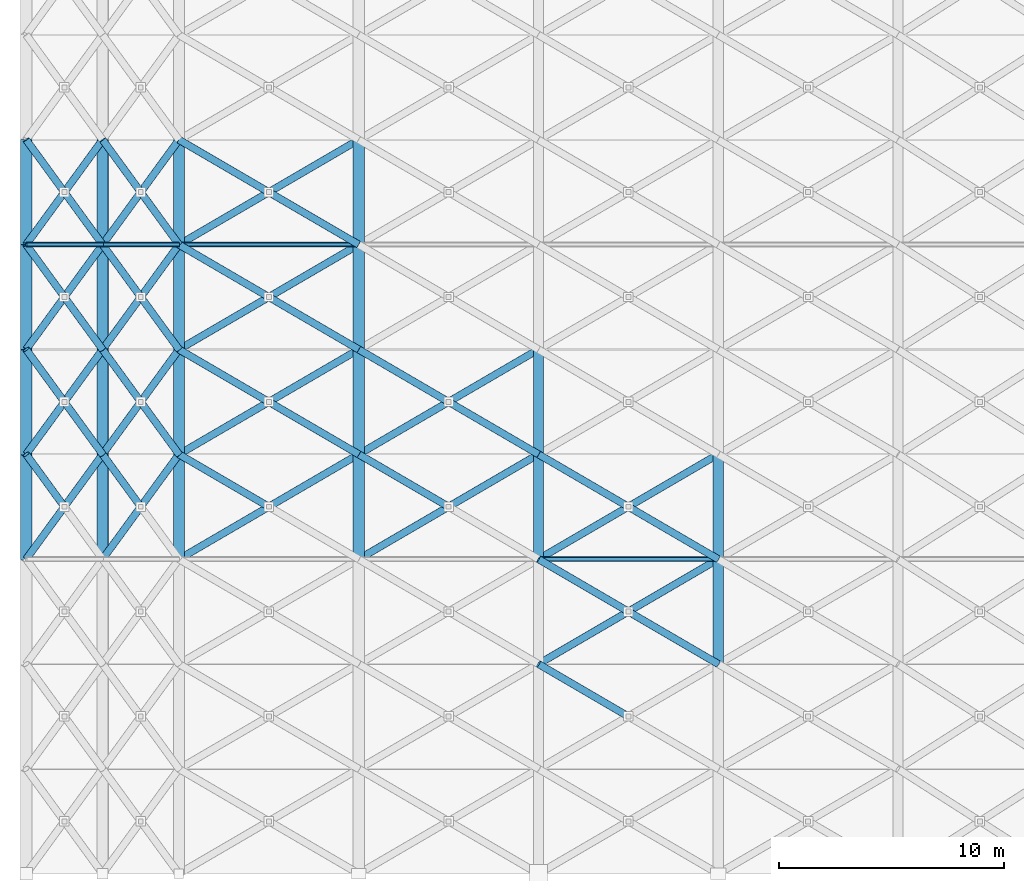
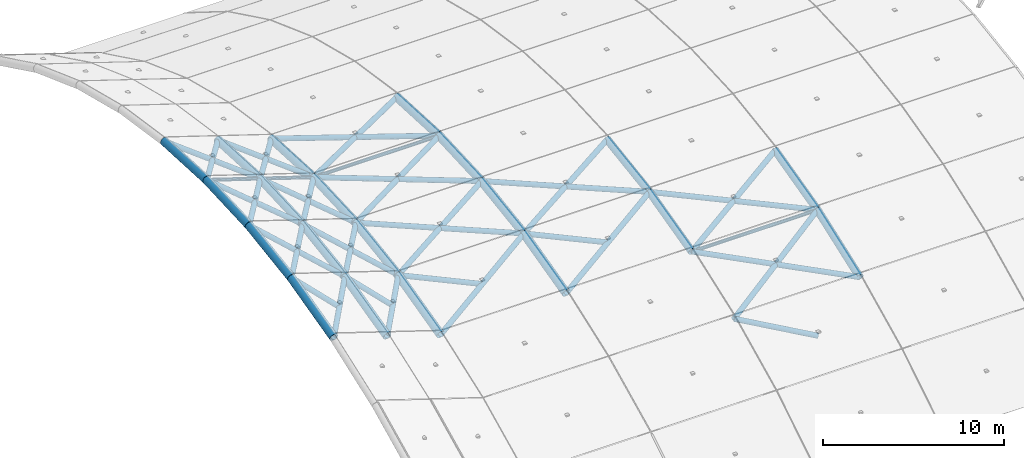
# One storey, part 2 of 21: 69 members.
"""IFC4 building model written with IfcOpenShell, lengths in metres."""

from ifc_helpers import new_model, si_unit, direction, frame, origin, origin_2d, place, context, subcontext, project, spatial, hollow_circle, extrude, material, material_profile, profile_set, type_object, element, save


model = new_model("IFC4")

# Units and contexts
model_context = context("Model", 3, precision=1e-05, world=origin(), true_north=direction((0.0, 1.0)))
body_context = subcontext(model_context, "Body", "Model", "MODEL_VIEW")
ifc_project = project(units=[si_unit("LENGTHUNIT", "METRE"), si_unit("AREAUNIT", "SQUARE_METRE"), si_unit("VOLUMEUNIT", "CUBIC_METRE"), si_unit("PLANEANGLEUNIT", "RADIAN"), si_unit("MASSUNIT", "GRAM", prefix="KILO")], contexts=[model_context])

# Site, building, storey
site_placement = place(None, origin())
site = spatial("IfcSite", under=ifc_project, at=site_placement, CompositionType="ELEMENT")
building_placement = place(site_placement, origin())
building = spatial("IfcBuilding", under=site, at=building_placement, Name="Solmirada Galleria", CompositionType="ELEMENT")
storey_placement = place(building_placement, frame((0.0, 0.0, 37.5)))
storey = spatial("IfcBuildingStorey", under=building, at=storey_placement, Name="RF", CompositionType="ELEMENT", Elevation=37.5)

# Members
ifc_material = material(Name="Steel S355 / ASTM A500 Grade C", Category="steel")
ifc_material_profile_1 = material_profile(ifc_material, hollow_circle(Radius=0.109619140625, WallThickness=0.007568359375, at=origin_2d()), Name="HSS8.625X0.322")
ifc_profile_set_1 = profile_set([ifc_material_profile_1], Name="Steel S355 / ASTM A500 Grade C")
member_type_1 = type_object("IfcMemberType", Name="MEM-DOME-PURL", PredefinedType="PURLIN", material=ifc_profile_set_1)
member_1_placement = place(storey_placement, frame((33.199951171875, 60.0, 1.840087890625), z_axis=(0.951440399165, 0.0, -0.307833017781), x_axis=(0.0, 1.0, 0.0)))
element("IfcMember", 1, at=member_1_placement, inside=storey, type_object=member_type_1, Name="Barrel gridshell longitudinal tie W00-06", PredefinedType="PURLIN", context=body_context, shape_type="SweptSolid", body=[
    extrude(hollow_circle(Radius=0.109619140625, WallThickness=0.007568359375, at=origin_2d()), origin(), (0.0, 0.0, 1.0), 3.57373046875),
])
member_2_placement = place(storey_placement, frame((36.60009765625, 60.0, 0.739990234375), z_axis=(0.951433924807, 0.0, -0.307853027803), x_axis=(0.0, 1.0, 0.0)))
element("IfcMember", 2, at=member_2_placement, inside=storey, type_object=member_type_1, Name="Barrel gridshell longitudinal tie W01-06", PredefinedType="PURLIN", context=body_context, shape_type="SweptSolid", body=[
    extrude(hollow_circle(Radius=0.109619140625, WallThickness=0.007568359375, at=origin_2d()), origin(), (0.0, 0.0, 1.0), 3.573486328125),
])
for number, where, z_axis, x_axis, name in (
    (3, (40.0, 60.0, -0.360107421875), (1.0, 0.0, 0.0), (0.0, 1.0, 0.0), "Barrel gridshell longitudinal tie W02-06"),
    (4, (56.0, 46.0, -2.471923828125), (1.0, 0.0, 0.0), (0.0, 1.0, 0.0), "Barrel gridshell longitudinal tie W04-03"),
):
    element("IfcMember", number, at=place(storey_placement, frame(where, z_axis=z_axis, x_axis=x_axis)), inside=storey, type_object=member_type_1, Name=name, PredefinedType="PURLIN", context=body_context, shape_type="SweptSolid", body=[
        extrude(hollow_circle(Radius=0.109619140625, WallThickness=0.007568359375, at=origin_2d()), origin(), (0.0, 0.0, 1.0), 8.0),
    ])
ifc_material_profile_2 = material_profile(ifc_material, hollow_circle(Radius=0.25390625, WallThickness=0.01171875, at=origin_2d()), Name="HSS20.000X0.500")
ifc_profile_set_2 = profile_set([ifc_material_profile_2], Name="Steel S355 / ASTM A500 Grade C")
member_type_2 = type_object("IfcMemberType", Name="MEM-VAULT-ARCH1", PredefinedType="RAFTER", material=ifc_profile_set_2)
member_3_placement = place(storey_placement, frame((33.199951171875, 46.0, -0.27197265625), z_axis=(0.0, 0.969334768515, 0.245743985782), x_axis=(-1.0, 0.0, 0.0)))
element("IfcMember", 5, at=member_3_placement, inside=storey, type_object=member_type_2, Name="Barrel vault arch rib W00-03", PredefinedType="RAFTER", context=body_context, shape_type="SweptSolid", body=[
    extrude(hollow_circle(Radius=0.25390625, WallThickness=0.01171875, at=origin_2d()), origin(), (0.0, 0.0, 1.0), 4.814453125),
])
member_4_placement = place(storey_placement, frame((33.199951171875, 50.666748046875, 0.9111328125), z_axis=(0.0, 0.988997751156, 0.14793055198), x_axis=(-1.0, 0.0, 0.0)))
element("IfcMember", 6, at=member_4_placement, inside=storey, type_object=member_type_2, Name="Barrel vault arch rib W00-04", PredefinedType="RAFTER", context=body_context, shape_type="SweptSolid", body=[
    extrude(hollow_circle(Radius=0.25390625, WallThickness=0.01171875, at=origin_2d()), origin(), (0.0, 0.0, 1.0), 4.718505859375),
])
for number, where, z_axis, x_axis, name in (
    (7, (33.199951171875, 55.333251953125, 1.609130859375), (0.0, 0.998777618429, 0.049429433797), (-1.0, 0.0, 0.0), "Barrel vault arch rib W00-05"),
    (8, (33.199951171875, 60.0, 1.840087890625), (0.0, 0.998777618429, -0.049429433797), (-1.0, 0.0, 0.0), "Barrel vault arch rib W00-06"),
):
    element("IfcMember", number, at=place(storey_placement, frame(where, z_axis=z_axis, x_axis=x_axis)), inside=storey, type_object=member_type_2, Name=name, PredefinedType="RAFTER", context=body_context, shape_type="SweptSolid", body=[
        extrude(hollow_circle(Radius=0.25390625, WallThickness=0.01171875, at=origin_2d()), origin(), (0.0, 0.0, 1.0), 4.67236328125),
    ])
member_5_placement = place(storey_placement, frame((36.60009765625, 46.0, -1.3720703125), z_axis=(0.0, 0.969334768515, 0.245743985782), x_axis=(-1.0, 0.0, 0.0)))
element("IfcMember", 9, at=member_5_placement, inside=storey, type_object=member_type_2, Name="Barrel vault arch rib W01-03", PredefinedType="RAFTER", context=body_context, shape_type="SweptSolid", body=[
    extrude(hollow_circle(Radius=0.25390625, WallThickness=0.01171875, at=origin_2d()), origin(), (0.0, 0.0, 1.0), 4.814453125),
])
member_6_placement = place(storey_placement, frame((36.60009765625, 50.666748046875, -0.18896484375), z_axis=(0.0, 0.988990179901, 0.147981161165), x_axis=(-1.0, 0.0, 0.0)))
element("IfcMember", 10, at=member_6_placement, inside=storey, type_object=member_type_2, Name="Barrel vault arch rib W01-04", PredefinedType="RAFTER", context=body_context, shape_type="SweptSolid", body=[
    extrude(hollow_circle(Radius=0.25390625, WallThickness=0.01171875, at=origin_2d()), origin(), (0.0, 0.0, 1.0), 4.718505859375),
])
for number, where, z_axis, x_axis, name in (
    (11, (36.60009765625, 55.333251953125, 0.50927734375), (0.0, 0.998780196655, 0.049377310271), (-1.0, 0.0, 0.0), "Barrel vault arch rib W01-05"),
    (12, (36.60009765625, 60.0, 0.739990234375), (0.0, 0.998780196655, -0.049377310271), (-1.0, 0.0, 0.0), "Barrel vault arch rib W01-06"),
):
    element("IfcMember", number, at=place(storey_placement, frame(where, z_axis=z_axis, x_axis=x_axis)), inside=storey, type_object=member_type_2, Name=name, PredefinedType="RAFTER", context=body_context, shape_type="SweptSolid", body=[
        extrude(hollow_circle(Radius=0.25390625, WallThickness=0.01171875, at=origin_2d()), origin(), (0.0, 0.0, 1.0), 4.67236328125),
    ])
member_7_placement = place(storey_placement, frame((40.0, 46.0, -2.471923828125), z_axis=(0.0, 0.969334768515, 0.245743985782), x_axis=(-1.0, 0.0, 0.0)))
element("IfcMember", 13, at=member_7_placement, inside=storey, type_object=member_type_2, Name="Barrel vault arch rib W02-03", PredefinedType="RAFTER", context=body_context, shape_type="SweptSolid", body=[
    extrude(hollow_circle(Radius=0.25390625, WallThickness=0.01171875, at=origin_2d()), origin(), (0.0, 0.0, 1.0), 4.814453125),
])
member_8_placement = place(storey_placement, frame((40.0, 50.666748046875, -1.288818359375), z_axis=(0.0, 0.988997751156, 0.14793055198), x_axis=(-1.0, 0.0, 0.0)))
element("IfcMember", 14, at=member_8_placement, inside=storey, type_object=member_type_2, Name="Barrel vault arch rib W02-04", PredefinedType="RAFTER", context=body_context, shape_type="SweptSolid", body=[
    extrude(hollow_circle(Radius=0.25390625, WallThickness=0.01171875, at=origin_2d()), origin(), (0.0, 0.0, 1.0), 4.718505859375),
])
for number, where, z_axis, x_axis, name in (
    (15, (40.0, 55.333251953125, -0.5908203125), (0.0, 0.998780196655, 0.049377310271), (-1.0, 0.0, 0.0), "Barrel vault arch rib W02-05"),
    (16, (40.0, 60.0, -0.360107421875), (0.0, 0.998780196655, -0.049377310271), (-1.0, 0.0, 0.0), "Barrel vault arch rib W02-06"),
):
    element("IfcMember", number, at=place(storey_placement, frame(where, z_axis=z_axis, x_axis=x_axis)), inside=storey, type_object=member_type_2, Name=name, PredefinedType="RAFTER", context=body_context, shape_type="SweptSolid", body=[
        extrude(hollow_circle(Radius=0.25390625, WallThickness=0.01171875, at=origin_2d()), origin(), (0.0, 0.0, 1.0), 4.67236328125),
    ])
member_9_placement = place(storey_placement, frame((48.0, 46.0, -2.471923828125), z_axis=(0.0, 0.969334768515, 0.245743985782), x_axis=(-1.0, 0.0, 0.0)))
element("IfcMember", 17, at=member_9_placement, inside=storey, type_object=member_type_2, Name="Barrel vault arch rib W03-03", PredefinedType="RAFTER", context=body_context, shape_type="SweptSolid", body=[
    extrude(hollow_circle(Radius=0.25390625, WallThickness=0.01171875, at=origin_2d()), origin(), (0.0, 0.0, 1.0), 4.814453125),
])
member_10_placement = place(storey_placement, frame((48.0, 50.666748046875, -1.288818359375), z_axis=(0.0, 0.988997751156, 0.14793055198), x_axis=(-1.0, 0.0, 0.0)))
element("IfcMember", 18, at=member_10_placement, inside=storey, type_object=member_type_2, Name="Barrel vault arch rib W03-04", PredefinedType="RAFTER", context=body_context, shape_type="SweptSolid", body=[
    extrude(hollow_circle(Radius=0.25390625, WallThickness=0.01171875, at=origin_2d()), origin(), (0.0, 0.0, 1.0), 4.718505859375),
])
for number, where, z_axis, x_axis, name in (
    (19, (48.0, 55.333251953125, -0.5908203125), (0.0, 0.998780196655, 0.049377310271), (-1.0, 0.0, 0.0), "Barrel vault arch rib W03-05"),
    (20, (48.0, 60.0, -0.360107421875), (0.0, 0.998780196655, -0.049377310271), (-1.0, 0.0, 0.0), "Barrel vault arch rib W03-06"),
):
    element("IfcMember", number, at=place(storey_placement, frame(where, z_axis=z_axis, x_axis=x_axis)), inside=storey, type_object=member_type_2, Name=name, PredefinedType="RAFTER", context=body_context, shape_type="SweptSolid", body=[
        extrude(hollow_circle(Radius=0.25390625, WallThickness=0.01171875, at=origin_2d()), origin(), (0.0, 0.0, 1.0), 4.67236328125),
    ])
ifc_material_profile_3 = material_profile(ifc_material, hollow_circle(Radius=0.228515625, WallThickness=0.01171875, at=origin_2d()), Name="HSS18.000X0.500")
ifc_profile_set_3 = profile_set([ifc_material_profile_3], Name="Steel S355 / ASTM A500 Grade C")
member_type_3 = type_object("IfcMemberType", Name="MEM-VAULT-ARCH2", PredefinedType="RAFTER", material=ifc_profile_set_3)
member_11_placement = place(storey_placement, frame((56.0, 46.0, -2.471923828125), z_axis=(0.0, 0.969334768515, 0.245743985782), x_axis=(-1.0, 0.0, 0.0)))
element("IfcMember", 21, at=member_11_placement, inside=storey, type_object=member_type_3, Name="Barrel vault arch rib W04-03", PredefinedType="RAFTER", context=body_context, shape_type="SweptSolid", body=[
    extrude(hollow_circle(Radius=0.228515625, WallThickness=0.01171875, at=origin_2d()), origin(), (0.0, 0.0, 1.0), 4.814453125),
])
member_12_placement = place(storey_placement, frame((56.0, 50.666748046875, -1.288818359375), z_axis=(0.0, 0.988997751156, 0.14793055198), x_axis=(-1.0, 0.0, 0.0)))
element("IfcMember", 22, at=member_12_placement, inside=storey, type_object=member_type_3, Name="Barrel vault arch rib W04-04", PredefinedType="RAFTER", context=body_context, shape_type="SweptSolid", body=[
    extrude(hollow_circle(Radius=0.228515625, WallThickness=0.01171875, at=origin_2d()), origin(), (0.0, 0.0, 1.0), 4.718505859375),
])
member_13_placement = place(storey_placement, frame((64.0, 41.333251953125, -4.17236328125), z_axis=(0.0, 0.939570777515, 0.342354719612), x_axis=(-1.0, 0.0, 0.0)))
element("IfcMember", 23, at=member_13_placement, inside=storey, type_object=member_type_3, Name="Barrel vault arch rib W05-02", PredefinedType="RAFTER", context=body_context, shape_type="SweptSolid", body=[
    extrude(hollow_circle(Radius=0.228515625, WallThickness=0.01171875, at=origin_2d()), origin(), (0.0, 0.0, 1.0), 4.966796875),
])
member_14_placement = place(storey_placement, frame((64.0, 46.0, -2.471923828125), z_axis=(0.0, 0.969334768515, 0.245743985782), x_axis=(-1.0, 0.0, 0.0)))
element("IfcMember", 24, at=member_14_placement, inside=storey, type_object=member_type_3, Name="Barrel vault arch rib W05-03", PredefinedType="RAFTER", context=body_context, shape_type="SweptSolid", body=[
    extrude(hollow_circle(Radius=0.228515625, WallThickness=0.01171875, at=origin_2d()), origin(), (0.0, 0.0, 1.0), 4.814453125),
])
ifc_material_profile_4 = material_profile(ifc_material, hollow_circle(Radius=0.162109375, WallThickness=0.0087890625, at=origin_2d()), Name="HSS12.750X0.375")
ifc_profile_set_4 = profile_set([ifc_material_profile_4], Name="Steel S355 / ASTM A500 Grade C")
member_type_4 = type_object("IfcMemberType", Name="MEM-VAULT-DIAG", PredefinedType="BRACE", material=ifc_profile_set_4)
member_15_placement = place(storey_placement, frame((33.199951171875, 46.0, -0.27197265625), z_axis=(0.58880704186, 0.808145803487, 0.014374552612), x_axis=(-0.808229309107, 0.58886788323, 0.0)))
element("IfcMember", 25, at=member_15_placement, inside=storey, type_object=member_type_4, Name="Barrel gridshell continuous diagonal W00-03", PredefinedType="BRACE", context=body_context, shape_type="SweptSolid", body=[
    extrude(hollow_circle(Radius=0.162109375, WallThickness=0.0087890625, at=origin_2d()), origin(), (0.0, 0.0, 1.0), 5.774658203125),
])
member_16_placement = place(storey_placement, frame((33.199951171875, 50.666748046875, 0.9111328125), z_axis=(0.547565912741, -0.751635070226, -0.367717680307), x_axis=(0.808264093398, 0.588820138348, 0.0)))
element("IfcMember", 26, at=member_16_placement, inside=storey, type_object=member_type_4, Name="Barrel gridshell split diagonal B1 W00-03", PredefinedType="BRACE", context=body_context, shape_type="SweptSolid", body=[
    extrude(hollow_circle(Radius=0.162109375, WallThickness=0.0087890625, at=origin_2d()), origin(), (0.0, 0.0, 1.0), 3.1044921875),
])
member_17_placement = place(storey_placement, frame((33.199951171875, 50.666748046875, 0.9111328125), z_axis=(0.58746686288, 0.806264207445, -0.06943135322), x_axis=(-0.808214646261, 0.588888007663, 0.0)))
element("IfcMember", 27, at=member_17_placement, inside=storey, type_object=member_type_4, Name="Barrel gridshell continuous diagonal W00-04", PredefinedType="BRACE", context=body_context, shape_type="SweptSolid", body=[
    extrude(hollow_circle(Radius=0.162109375, WallThickness=0.0087890625, at=origin_2d()), origin(), (0.0, 0.0, 1.0), 5.787841796875),
])
for number, where, z_axis, x_axis, name in (
    (28, (33.199951171875, 55.333251953125, 1.609130859375), (0.562233399099, -0.771688150968, -0.297306243786), (0.808234771228, 0.58886038632, 0.0), "Barrel gridshell split diagonal B1 W00-04"),
    (29, (34.89990234375, 53.0, 0.710205078125), (0.562275118353, -0.771634593064, -0.297366349927), (0.808194521352, 0.588915626943, 0.0), "Barrel gridshell split diagonal B2 W00-04"),
):
    element("IfcMember", number, at=place(storey_placement, frame(where, z_axis=z_axis, x_axis=x_axis)), inside=storey, type_object=member_type_4, Name=name, PredefinedType="BRACE", context=body_context, shape_type="SweptSolid", body=[
        extrude(hollow_circle(Radius=0.162109375, WallThickness=0.0087890625, at=origin_2d()), origin(), (0.0, 0.0, 1.0), 3.023681640625),
    ])
member_18_placement = place(storey_placement, frame((33.199951171875, 55.333251953125, 1.609130859375), z_axis=(0.582307883167, 0.799225618349, -0.148848715737), x_axis=(-0.808229309107, 0.58886788323, 0.0)))
element("IfcMember", 30, at=member_18_placement, inside=storey, type_object=member_type_4, Name="Barrel gridshell continuous diagonal W00-05", PredefinedType="BRACE", context=body_context, shape_type="SweptSolid", body=[
    extrude(hollow_circle(Radius=0.162109375, WallThickness=0.0087890625, at=origin_2d()), origin(), (0.0, 0.0, 1.0), 5.839111328125),
])
member_19_placement = place(storey_placement, frame((33.199951171875, 60.0, 1.840087890625), z_axis=(0.573809481319, -0.787576793475, -0.224645217015), x_axis=(0.808234771228, 0.58886038632, 0.0)))
element("IfcMember", 31, at=member_19_placement, inside=storey, type_object=member_type_4, Name="Barrel gridshell split diagonal B1 W00-05", PredefinedType="BRACE", context=body_context, shape_type="SweptSolid", body=[
    extrude(hollow_circle(Radius=0.162109375, WallThickness=0.0087890625, at=origin_2d()), origin(), (0.0, 0.0, 1.0), 2.962646484375),
])
member_20_placement = place(storey_placement, frame((34.89990234375, 57.666748046875, 1.174560546875), z_axis=(0.57383813094, -0.787585418657, -0.224541772948), x_axis=(0.808223847562, 0.588875379203, 0.0)))
element("IfcMember", 32, at=member_20_placement, inside=storey, type_object=member_type_4, Name="Barrel gridshell split diagonal B2 W00-05", PredefinedType="BRACE", context=body_context, shape_type="SweptSolid", body=[
    extrude(hollow_circle(Radius=0.162109375, WallThickness=0.0087890625, at=origin_2d()), origin(), (0.0, 0.0, 1.0), 2.962890625),
])
member_21_placement = place(storey_placement, frame((33.199951171875, 60.0, 1.840087890625), z_axis=(0.573823807632, 0.787581107409, -0.224593492885), x_axis=(-0.808229309107, 0.58886788323, 0.0)))
element("IfcMember", 33, at=member_21_placement, inside=storey, type_object=member_type_4, Name="Barrel gridshell continuous diagonal W00-06", PredefinedType="BRACE", context=body_context, shape_type="SweptSolid", body=[
    extrude(hollow_circle(Radius=0.162109375, WallThickness=0.0087890625, at=origin_2d()), origin(), (0.0, 0.0, 1.0), 5.925537109375),
])
member_22_placement = place(storey_placement, frame((33.199951171875, 64.666748046875, 1.609130859375), z_axis=(0.582299707586, -0.799229973489, -0.148857314305), x_axis=(0.808234771228, 0.58886038632, 0.0)))
element("IfcMember", 34, at=member_22_placement, inside=storey, type_object=member_type_4, Name="Barrel gridshell split diagonal B1 W00-06", PredefinedType="BRACE", context=body_context, shape_type="SweptSolid", body=[
    extrude(hollow_circle(Radius=0.162109375, WallThickness=0.0087890625, at=origin_2d()), origin(), (0.0, 0.0, 1.0), 2.91943359375),
])
member_23_placement = place(storey_placement, frame((34.89990234375, 62.33349609375, 1.174560546875), z_axis=(0.582316057711, -0.799221263584, -0.14884011814), x_axis=(0.808223847562, 0.588875379203, 0.0)))
element("IfcMember", 35, at=member_23_placement, inside=storey, type_object=member_type_4, Name="Barrel gridshell split diagonal B2 W00-06", PredefinedType="BRACE", context=body_context, shape_type="SweptSolid", body=[
    extrude(hollow_circle(Radius=0.162109375, WallThickness=0.0087890625, at=origin_2d()), origin(), (0.0, 0.0, 1.0), 2.919677734375),
])
member_24_placement = place(storey_placement, frame((36.60009765625, 46.0, -1.3720703125), z_axis=(0.588779061922, 0.808165429315, 0.014417180821), x_axis=(-0.808249433065, 0.588840261829, 0.0)))
element("IfcMember", 36, at=member_24_placement, inside=storey, type_object=member_type_4, Name="Barrel gridshell continuous diagonal W01-03", PredefinedType="BRACE", context=body_context, shape_type="SweptSolid", body=[
    extrude(hollow_circle(Radius=0.162109375, WallThickness=0.0087890625, at=origin_2d()), origin(), (0.0, 0.0, 1.0), 5.7744140625),
])
member_25_placement = place(storey_placement, frame((36.60009765625, 50.666748046875, -0.18896484375), z_axis=(0.547581745745, -0.75165680394, -0.367649671314), x_axis=(0.808264093398, 0.588820138348, 0.0)))
element("IfcMember", 37, at=member_25_placement, inside=storey, type_object=member_type_4, Name="Barrel gridshell split diagonal B1 W01-03", PredefinedType="BRACE", context=body_context, shape_type="SweptSolid", body=[
    extrude(hollow_circle(Radius=0.162109375, WallThickness=0.0087890625, at=origin_2d()), origin(), (0.0, 0.0, 1.0), 3.1044921875),
])
member_26_placement = place(storey_placement, frame((36.60009765625, 50.666748046875, -0.18896484375), z_axis=(0.587439237679, 0.80628418706, -0.069433073763), x_axis=(-0.808234771228, 0.58886038632, 0.0)))
element("IfcMember", 38, at=member_26_placement, inside=storey, type_object=member_type_4, Name="Barrel gridshell continuous diagonal W01-04", PredefinedType="BRACE", context=body_context, shape_type="SweptSolid", body=[
    extrude(hollow_circle(Radius=0.162109375, WallThickness=0.0087890625, at=origin_2d()), origin(), (0.0, 0.0, 1.0), 5.78759765625),
])
for number, where, z_axis, x_axis, name in (
    (39, (36.60009765625, 55.333251953125, 0.50927734375), (0.562219900638, -0.771669623783, -0.297379849785), (0.808234771228, 0.58886038632, 0.0), "Barrel gridshell split diagonal B1 W01-04"),
    (40, (38.300048828125, 53.0, -0.389892578125), (0.562233399099, -0.771688150968, -0.297306243786), (0.808234771228, 0.58886038632, 0.0), "Barrel gridshell split diagonal B2 W01-04"),
):
    element("IfcMember", number, at=place(storey_placement, frame(where, z_axis=z_axis, x_axis=x_axis)), inside=storey, type_object=member_type_4, Name=name, PredefinedType="BRACE", context=body_context, shape_type="SweptSolid", body=[
        extrude(hollow_circle(Radius=0.162109375, WallThickness=0.0087890625, at=origin_2d()), origin(), (0.0, 0.0, 1.0), 3.023681640625),
    ])
member_27_placement = place(storey_placement, frame((36.60009765625, 55.333251953125, 0.50927734375), z_axis=(0.582276623728, 0.799240102151, -0.148893225413), x_axis=(-0.808249433065, 0.588840261829, 0.0)))
element("IfcMember", 41, at=member_27_placement, inside=storey, type_object=member_type_4, Name="Barrel gridshell continuous diagonal W01-05", PredefinedType="BRACE", context=body_context, shape_type="SweptSolid", body=[
    extrude(hollow_circle(Radius=0.162109375, WallThickness=0.0087890625, at=origin_2d()), origin(), (0.0, 0.0, 1.0), 5.8388671875),
])
member_28_placement = place(storey_placement, frame((36.60009765625, 60.0, 0.739990234375), z_axis=(0.573820102398, -0.787591371336, -0.22456696525), x_axis=(0.808234771228, 0.58886038632, 0.0)))
element("IfcMember", 42, at=member_28_placement, inside=storey, type_object=member_type_4, Name="Barrel gridshell split diagonal B1 W01-05", PredefinedType="BRACE", context=body_context, shape_type="SweptSolid", body=[
    extrude(hollow_circle(Radius=0.162109375, WallThickness=0.0087890625, at=origin_2d()), origin(), (0.0, 0.0, 1.0), 2.96240234375),
])
member_29_placement = place(storey_placement, frame((38.300048828125, 57.666748046875, 0.07470703125), z_axis=(0.573772241086, -0.787608082765, -0.224630637541), x_axis=(0.808264093398, 0.588820138348, 0.0)))
element("IfcMember", 43, at=member_29_placement, inside=storey, type_object=member_type_4, Name="Barrel gridshell split diagonal B2 W01-05", PredefinedType="BRACE", context=body_context, shape_type="SweptSolid", body=[
    extrude(hollow_circle(Radius=0.162109375, WallThickness=0.0087890625, at=origin_2d()), origin(), (0.0, 0.0, 1.0), 2.962646484375),
])
member_30_placement = place(storey_placement, frame((36.60009765625, 60.0, 0.739990234375), z_axis=(0.573796171219, 0.787599728051, -0.224598802909), x_axis=(-0.808249433065, 0.588840261829, 0.0)))
element("IfcMember", 44, at=member_30_placement, inside=storey, type_object=member_type_4, Name="Barrel gridshell continuous diagonal W01-06", PredefinedType="BRACE", context=body_context, shape_type="SweptSolid", body=[
    extrude(hollow_circle(Radius=0.162109375, WallThickness=0.0087890625, at=origin_2d()), origin(), (0.0, 0.0, 1.0), 5.92529296875),
])
member_31_placement = place(storey_placement, frame((36.60009765625, 64.666748046875, 0.50927734375), z_axis=(0.582299707586, -0.799229973489, -0.148857314305), x_axis=(0.808234771228, 0.58886038632, 0.0)))
element("IfcMember", 45, at=member_31_placement, inside=storey, type_object=member_type_4, Name="Barrel gridshell split diagonal B1 W01-06", PredefinedType="BRACE", context=body_context, shape_type="SweptSolid", body=[
    extrude(hollow_circle(Radius=0.162109375, WallThickness=0.0087890625, at=origin_2d()), origin(), (0.0, 0.0, 1.0), 2.91943359375),
])
member_32_placement = place(storey_placement, frame((38.300048828125, 62.33349609375, 0.07470703125), z_axis=(0.582253540579, -0.799250228472, -0.148929133387), x_axis=(0.808264093398, 0.588820138348, 0.0)))
element("IfcMember", 46, at=member_32_placement, inside=storey, type_object=member_type_4, Name="Barrel gridshell split diagonal B2 W01-06", PredefinedType="BRACE", context=body_context, shape_type="SweptSolid", body=[
    extrude(hollow_circle(Radius=0.162109375, WallThickness=0.0087890625, at=origin_2d()), origin(), (0.0, 0.0, 1.0), 2.919677734375),
])
member_33_placement = place(storey_placement, frame((40.0, 46.0, -2.471923828125), z_axis=(0.856812609173, 0.499816071299, 0.126712460451), x_axis=(-0.503877581445, 0.863775076578, 0.0)))
element("IfcMember", 47, at=member_33_placement, inside=storey, type_object=member_type_4, Name="Barrel gridshell continuous diagonal W02-03", PredefinedType="BRACE", context=body_context, shape_type="SweptSolid", body=[
    extrude(hollow_circle(Radius=0.162109375, WallThickness=0.0087890625, at=origin_2d()), origin(), (0.0, 0.0, 1.0), 9.3369140625),
])
member_34_placement = place(storey_placement, frame((40.0, 50.666748046875, -1.288818359375), z_axis=(0.856801411318, -0.499835686608, -0.12671080442), x_axis=(0.503897248685, 0.863763603521, 0.0)))
element("IfcMember", 48, at=member_34_placement, inside=storey, type_object=member_type_4, Name="Barrel gridshell split diagonal B1 W02-03", PredefinedType="BRACE", context=body_context, shape_type="SweptSolid", body=[
    extrude(hollow_circle(Radius=0.162109375, WallThickness=0.0087890625, at=origin_2d()), origin(), (0.0, 0.0, 1.0), 4.66845703125),
])
member_35_placement = place(storey_placement, frame((40.0, 50.666748046875, -1.288818359375), z_axis=(0.861343836227, 0.502433047047, 0.075152039422), x_axis=(-0.503857913421, 0.863786549492, 0.0)))
element("IfcMember", 49, at=member_35_placement, inside=storey, type_object=member_type_4, Name="Barrel gridshell continuous diagonal W02-04", PredefinedType="BRACE", context=body_context, shape_type="SweptSolid", body=[
    extrude(hollow_circle(Radius=0.162109375, WallThickness=0.0087890625, at=origin_2d()), origin(), (0.0, 0.0, 1.0), 9.287841796875),
])
for number, where, z_axis, x_axis, name in (
    (50, (40.0, 55.333251953125, -0.5908203125), (0.861345537481, -0.502434039411, -0.075125901676), (0.503857913421, 0.863786549492, 0.0), "Barrel gridshell split diagonal B1 W02-04"),
    (51, (44.0, 53.0, -0.939697265625), (0.861342134387, -0.502432054342, -0.075178177013), (0.503857913421, 0.863786549492, 0.0), "Barrel gridshell split diagonal B2 W02-04"),
):
    element("IfcMember", number, at=place(storey_placement, frame(where, z_axis=z_axis, x_axis=x_axis)), inside=storey, type_object=member_type_4, Name=name, PredefinedType="BRACE", context=body_context, shape_type="SweptSolid", body=[
        extrude(hollow_circle(Radius=0.162109375, WallThickness=0.0087890625, at=origin_2d()), origin(), (0.0, 0.0, 1.0), 4.643798828125),
    ])
member_36_placement = place(storey_placement, frame((40.0, 55.333251953125, -0.5908203125), z_axis=(0.863507200646, 0.50372131776, 0.024902780292), x_axis=(-0.503877581445, 0.863775076578, 0.0)))
element("IfcMember", 52, at=member_36_placement, inside=storey, type_object=member_type_4, Name="Barrel gridshell continuous diagonal W02-05", PredefinedType="BRACE", context=body_context, shape_type="SweptSolid", body=[
    extrude(hollow_circle(Radius=0.162109375, WallThickness=0.0087890625, at=origin_2d()), origin(), (0.0, 0.0, 1.0), 9.2646484375),
])
for number, where, z_axis, x_axis, name in (
    (53, (40.0, 60.0, -0.360107421875), (0.863519229282, -0.503701982071, -0.024876774672), (0.503857913421, 0.863786549492, 0.0), "Barrel gridshell split diagonal B1 W02-05"),
    (54, (44.0, 57.666748046875, -0.475341796875), (0.863495171314, -0.503740652308, -0.024928785158), (0.503897248685, 0.863763603521, 0.0), "Barrel gridshell split diagonal B2 W02-05"),
):
    element("IfcMember", number, at=place(storey_placement, frame(where, z_axis=z_axis, x_axis=x_axis)), inside=storey, type_object=member_type_4, Name=name, PredefinedType="BRACE", context=body_context, shape_type="SweptSolid", body=[
        extrude(hollow_circle(Radius=0.162109375, WallThickness=0.0087890625, at=origin_2d()), origin(), (0.0, 0.0, 1.0), 4.63232421875),
    ])
member_37_placement = place(storey_placement, frame((40.0, 60.0, -0.360107421875), z_axis=(0.863507200646, 0.50372131776, -0.024902780292), x_axis=(-0.503877581445, 0.863775076578, 0.0)))
element("IfcMember", 55, at=member_37_placement, inside=storey, type_object=member_type_4, Name="Barrel gridshell continuous diagonal W02-06", PredefinedType="BRACE", context=body_context, shape_type="SweptSolid", body=[
    extrude(hollow_circle(Radius=0.162109375, WallThickness=0.0087890625, at=origin_2d()), origin(), (0.0, 0.0, 1.0), 9.2646484375),
])
for number, where, z_axis, x_axis, name in (
    (56, (40.0, 64.666748046875, -0.5908203125), (0.863518095898, -0.503701320953, 0.024929446982), (0.503857913421, 0.863786549492, 0.0), "Barrel gridshell split diagonal B1 W02-06"),
    (57, (44.0, 62.33349609375, -0.475341796875), (0.863496304608, -0.503741313442, 0.024876114244), (0.503897248685, 0.863763603521, 0.0), "Barrel gridshell split diagonal B2 W02-06"),
):
    element("IfcMember", number, at=place(storey_placement, frame(where, z_axis=z_axis, x_axis=x_axis)), inside=storey, type_object=member_type_4, Name=name, PredefinedType="BRACE", context=body_context, shape_type="SweptSolid", body=[
        extrude(hollow_circle(Radius=0.162109375, WallThickness=0.0087890625, at=origin_2d()), origin(), (0.0, 0.0, 1.0), 4.63232421875),
    ])
member_38_placement = place(storey_placement, frame((48.0, 46.0, -2.471923828125), z_axis=(0.856812609173, 0.499816071299, 0.126712460451), x_axis=(-0.503877581445, 0.863775076578, 0.0)))
element("IfcMember", 58, at=member_38_placement, inside=storey, type_object=member_type_4, Name="Barrel gridshell continuous diagonal W03-03", PredefinedType="BRACE", context=body_context, shape_type="SweptSolid", body=[
    extrude(hollow_circle(Radius=0.162109375, WallThickness=0.0087890625, at=origin_2d()), origin(), (0.0, 0.0, 1.0), 9.3369140625),
])
member_39_placement = place(storey_placement, frame((48.0, 50.666748046875, -1.288818359375), z_axis=(0.856801411318, -0.499835686608, -0.12671080442), x_axis=(0.503897248685, 0.863763603521, 0.0)))
element("IfcMember", 59, at=member_39_placement, inside=storey, type_object=member_type_4, Name="Barrel gridshell split diagonal B1 W03-03", PredefinedType="BRACE", context=body_context, shape_type="SweptSolid", body=[
    extrude(hollow_circle(Radius=0.162109375, WallThickness=0.0087890625, at=origin_2d()), origin(), (0.0, 0.0, 1.0), 4.66845703125),
])
member_40_placement = place(storey_placement, frame((48.0, 50.666748046875, -1.288818359375), z_axis=(0.861343836227, 0.502433047047, 0.075152039422), x_axis=(-0.503857913421, 0.863786549492, 0.0)))
element("IfcMember", 60, at=member_40_placement, inside=storey, type_object=member_type_4, Name="Barrel gridshell continuous diagonal W03-04", PredefinedType="BRACE", context=body_context, shape_type="SweptSolid", body=[
    extrude(hollow_circle(Radius=0.162109375, WallThickness=0.0087890625, at=origin_2d()), origin(), (0.0, 0.0, 1.0), 9.287841796875),
])
for number, where, z_axis, x_axis, name in (
    (61, (48.0, 55.333251953125, -0.5908203125), (0.861345537481, -0.502434039411, -0.075125901676), (0.503857913421, 0.863786549492, 0.0), "Barrel gridshell split diagonal B1 W03-04"),
    (62, (52.0, 53.0, -0.939697265625), (0.861342134387, -0.502432054342, -0.075178177013), (0.503857913421, 0.863786549492, 0.0), "Barrel gridshell split diagonal B2 W03-04"),
):
    element("IfcMember", number, at=place(storey_placement, frame(where, z_axis=z_axis, x_axis=x_axis)), inside=storey, type_object=member_type_4, Name=name, PredefinedType="BRACE", context=body_context, shape_type="SweptSolid", body=[
        extrude(hollow_circle(Radius=0.162109375, WallThickness=0.0087890625, at=origin_2d()), origin(), (0.0, 0.0, 1.0), 4.643798828125),
    ])
member_41_placement = place(storey_placement, frame((56.0, 41.333251953125, -4.17236328125), z_axis=(0.838974526438, -0.489384738108, -0.237958656272), x_axis=(0.503857913421, 0.863786549492, 0.0)))
element("IfcMember", 63, at=member_41_placement, inside=storey, type_object=member_type_4, Name="Barrel gridshell split diagonal B1 W04-01", PredefinedType="BRACE", context=body_context, shape_type="SweptSolid", body=[
    extrude(hollow_circle(Radius=0.162109375, WallThickness=0.0087890625, at=origin_2d()), origin(), (0.0, 0.0, 1.0), 4.767822265625),
])
member_42_placement = place(storey_placement, frame((56.0, 41.333251953125, -4.17236328125), z_axis=(0.84957466948, 0.495593866184, 0.180581285795), x_axis=(-0.503877581445, 0.863775076578, 0.0)))
element("IfcMember", 64, at=member_42_placement, inside=storey, type_object=member_type_4, Name="Barrel gridshell continuous diagonal W04-02", PredefinedType="BRACE", context=body_context, shape_type="SweptSolid", body=[
    extrude(hollow_circle(Radius=0.162109375, WallThickness=0.0087890625, at=origin_2d()), origin(), (0.0, 0.0, 1.0), 9.41650390625),
])
for number, where, z_axis, x_axis, name in (
    (65, (56.0, 46.0, -2.471923828125), (0.849581607741, -0.4955719864, -0.18060868773), (0.503857913421, 0.863786549492, 0.0), "Barrel gridshell split diagonal B1 W04-02"),
    (66, (60.0, 43.666748046875, -3.322265625), (0.849567730246, -0.495615744977, -0.180553884077), (0.503897248685, 0.863763603521, 0.0), "Barrel gridshell split diagonal B2 W04-02"),
):
    element("IfcMember", number, at=place(storey_placement, frame(where, z_axis=z_axis, x_axis=x_axis)), inside=storey, type_object=member_type_4, Name=name, PredefinedType="BRACE", context=body_context, shape_type="SweptSolid", body=[
        extrude(hollow_circle(Radius=0.162109375, WallThickness=0.0087890625, at=origin_2d()), origin(), (0.0, 0.0, 1.0), 4.708251953125),
    ])
member_43_placement = place(storey_placement, frame((56.0, 46.0, -2.471923828125), z_axis=(0.856812609173, 0.499816071299, 0.126712460451), x_axis=(-0.503877581445, 0.863775076578, 0.0)))
element("IfcMember", 67, at=member_43_placement, inside=storey, type_object=member_type_4, Name="Barrel gridshell continuous diagonal W04-03", PredefinedType="BRACE", context=body_context, shape_type="SweptSolid", body=[
    extrude(hollow_circle(Radius=0.162109375, WallThickness=0.0087890625, at=origin_2d()), origin(), (0.0, 0.0, 1.0), 9.3369140625),
])
for number, where, z_axis, x_axis, name in (
    (68, (56.0, 50.666748046875, -1.288818359375), (0.856801411318, -0.499835686608, -0.12671080442), (0.503897248685, 0.863763603521, 0.0), "Barrel gridshell split diagonal B1 W04-03"),
    (69, (60.0, 48.333251953125, -1.88037109375), (0.856823806881, -0.499796455222, -0.126714116459), (0.503857913421, 0.863786549492, 0.0), "Barrel gridshell split diagonal B2 W04-03"),
):
    element("IfcMember", number, at=place(storey_placement, frame(where, z_axis=z_axis, x_axis=x_axis)), inside=storey, type_object=member_type_4, Name=name, PredefinedType="BRACE", context=body_context, shape_type="SweptSolid", body=[
        extrude(hollow_circle(Radius=0.162109375, WallThickness=0.0087890625, at=origin_2d()), origin(), (0.0, 0.0, 1.0), 4.66845703125),
    ])

save(model, "model.ifc")
